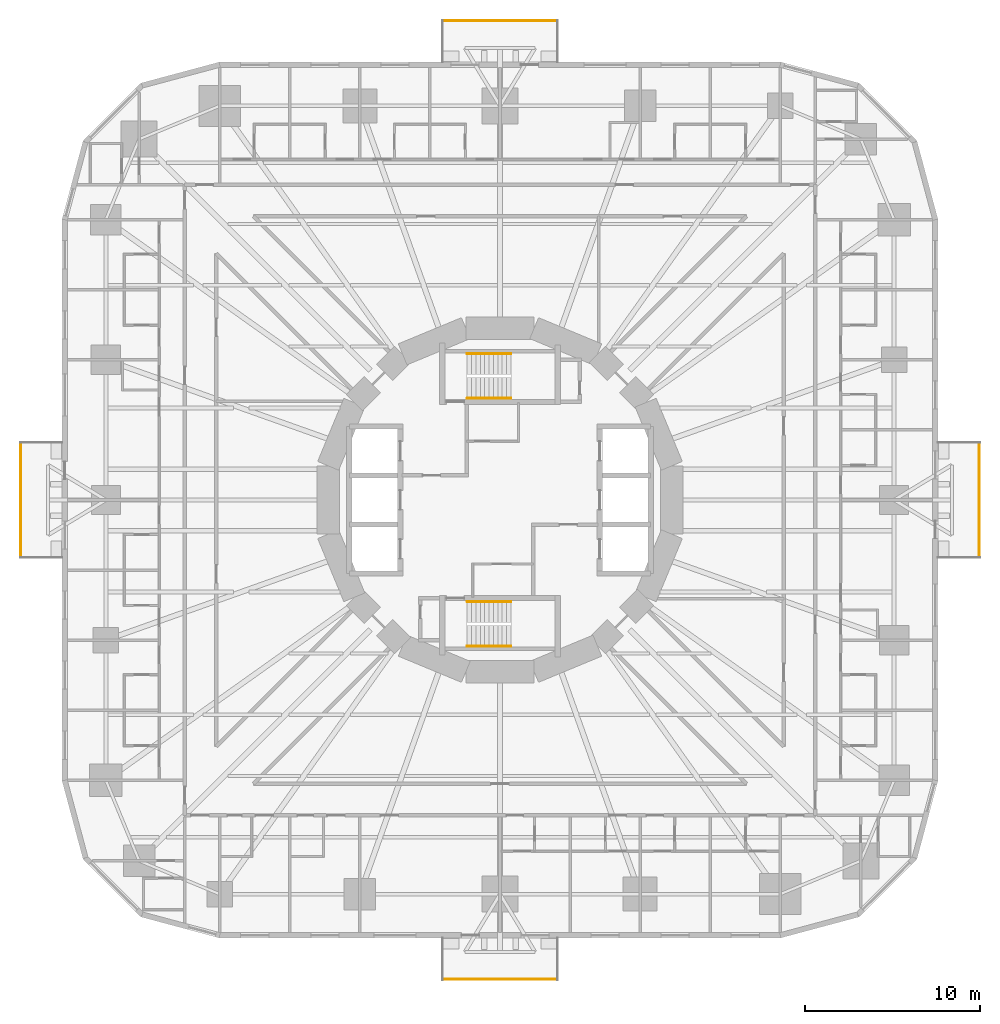
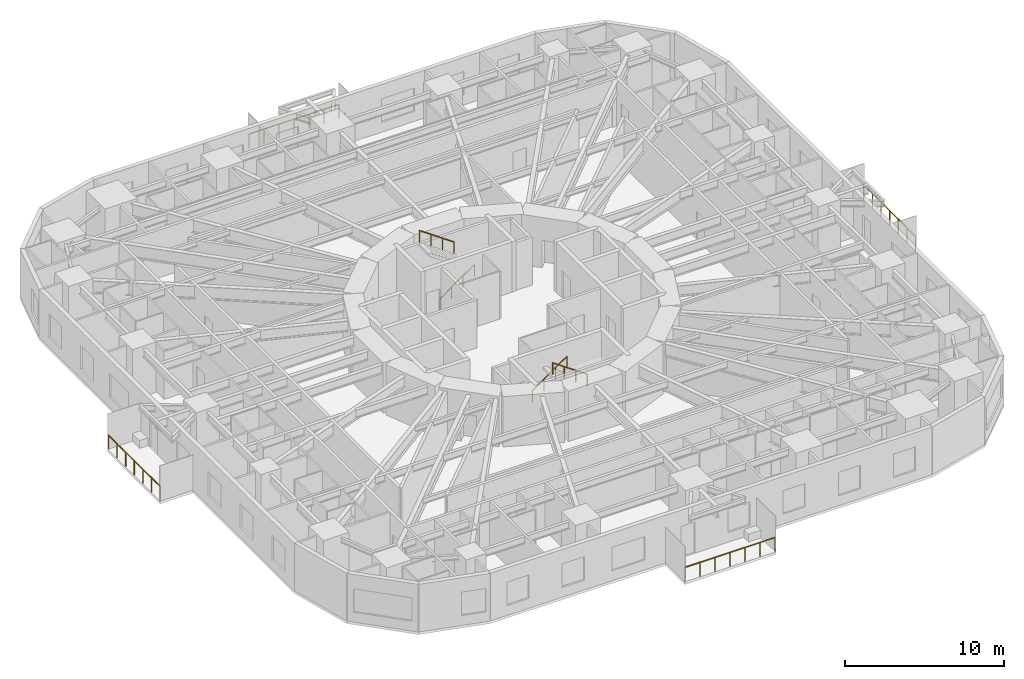
# One storey, part 13 of 14: 8 railings.
"""IFC4 building model written with IfcOpenShell, lengths in metres."""

from ifc_helpers import new_model, si_unit, direction, frame, origin, origin_2d, place, context, subcontext, project, spatial, circle, extrude, material, type_object, element, save


model = new_model("IFC4")

# Units and contexts
model_context = context("Model", 3, precision=1e-05, world=origin(), true_north=direction((0.0, 1.0)))
body_context = subcontext(model_context, "Body", "Model", "MODEL_VIEW")
ifc_project = project(units=[si_unit("LENGTHUNIT", "METRE"), si_unit("AREAUNIT", "SQUARE_METRE"), si_unit("VOLUMEUNIT", "CUBIC_METRE"), si_unit("PLANEANGLEUNIT", "RADIAN"), si_unit("MASSUNIT", "GRAM", prefix="KILO")], contexts=[model_context])

# Site, building, storey
site_placement = place(None, origin())
site = spatial("IfcSite", under=ifc_project, at=site_placement, CompositionType="ELEMENT")
building_placement = place(site_placement, origin())
building = spatial("IfcBuilding", under=site, at=building_placement, Name="Nakasero Lantern House", CompositionType="ELEMENT")
storey_placement = place(building_placement, frame((0.0, 0.0, 39.10009765625)))
storey = spatial("IfcBuildingStorey", under=building, at=storey_placement, Name="L09", CompositionType="ELEMENT", Elevation=39.10009765625)

# Railings
ifc_material_1 = material(Name="Aluminium 6063-T6", Category="aluminium")
railing_type_1 = type_object("IfcRailingType", Name="Balcony guard 1100", PredefinedType="BALUSTRADE", material=ifc_material_1)
railing_1_placement = place(storey_placement, frame((27.35009765625, -3.260009765625, 0.0)))
element("IfcRailing", 1, at=railing_1_placement, inside=storey, type_object=railing_type_1, Name="Balcony guard L09 BAL0", PredefinedType="BALUSTRADE", context=body_context, shape_type="SweptSolid", body=[
    extrude(circle(Radius=0.02392578125, at=origin_2d()), frame((0.0, 0.0, 1.076171875), z_axis=(0.0, 1.0, 0.0), x_axis=(-1.0, 0.0, 0.0)), (0.0, 0.0, 1.0), 6.52001953125),
    extrude(circle(Radius=0.02099609375, at=origin_2d()), origin(), (0.0, 0.0, 1.0), 1.052001953125),
    extrude(circle(Radius=0.02099609375, at=origin_2d()), frame((0.0, 1.086669921875, 0.0)), (0.0, 0.0, 1.0), 1.052001953125),
    extrude(circle(Radius=0.02099609375, at=origin_2d()), frame((0.0, 2.17333984375, 0.0)), (0.0, 0.0, 1.0), 1.052001953125),
    extrude(circle(Radius=0.02099609375, at=origin_2d()), frame((0.0, 3.260009765625, 0.0)), (0.0, 0.0, 1.0), 1.052001953125),
    extrude(circle(Radius=0.02099609375, at=origin_2d()), frame((0.0, 4.3466796875, 0.0)), (0.0, 0.0, 1.0), 1.052001953125),
    extrude(circle(Radius=0.02099609375, at=origin_2d()), frame((0.0, 5.433349609375, 0.0)), (0.0, 0.0, 1.0), 1.052001953125),
    extrude(circle(Radius=0.02099609375, at=origin_2d()), frame((0.0, 6.52001953125, 0.0)), (0.0, 0.0, 1.0), 1.052001953125),
])
railing_2_placement = place(storey_placement, frame((3.260009765625, 27.35009765625, 0.0)))
element("IfcRailing", 2, at=railing_2_placement, inside=storey, type_object=railing_type_1, Name="Balcony guard L09 BAL1", PredefinedType="BALUSTRADE", context=body_context, shape_type="SweptSolid", body=[
    extrude(circle(Radius=0.02392578125, at=origin_2d()), frame((0.0, 0.0, 1.076171875), z_axis=(-1.0, 0.0, 0.0), x_axis=(0.0, -1.0, 0.0)), (0.0, 0.0, 1.0), 6.52001953125),
    extrude(circle(Radius=0.02099609375, at=origin_2d()), origin(), (0.0, 0.0, 1.0), 1.052001953125),
    extrude(circle(Radius=0.02099609375, at=origin_2d()), frame((-1.086669921875, 0.0, 0.0)), (0.0, 0.0, 1.0), 1.052001953125),
    extrude(circle(Radius=0.02099609375, at=origin_2d()), frame((-2.17333984375, 0.0, 0.0)), (0.0, 0.0, 1.0), 1.052001953125),
    extrude(circle(Radius=0.02099609375, at=origin_2d()), frame((-3.260009765625, 0.0, 0.0)), (0.0, 0.0, 1.0), 1.052001953125),
    extrude(circle(Radius=0.02099609375, at=origin_2d()), frame((-4.3466796875, 0.0, 0.0)), (0.0, 0.0, 1.0), 1.052001953125),
    extrude(circle(Radius=0.02099609375, at=origin_2d()), frame((-5.433349609375, 0.0, 0.0)), (0.0, 0.0, 1.0), 1.052001953125),
    extrude(circle(Radius=0.02099609375, at=origin_2d()), frame((-6.52001953125, 0.0, 0.0)), (0.0, 0.0, 1.0), 1.052001953125),
])
railing_3_placement = place(storey_placement, frame((-27.35009765625, 3.260009765625, 0.0)))
element("IfcRailing", 3, at=railing_3_placement, inside=storey, type_object=railing_type_1, Name="Balcony guard L09 BAL2", PredefinedType="BALUSTRADE", context=body_context, shape_type="SweptSolid", body=[
    extrude(circle(Radius=0.02392578125, at=origin_2d()), frame((0.0, 0.0, 1.076171875), z_axis=(0.0, -1.0, 0.0), x_axis=(1.0, 0.0, 0.0)), (0.0, 0.0, 1.0), 6.52001953125),
    extrude(circle(Radius=0.02099609375, at=origin_2d()), origin(), (0.0, 0.0, 1.0), 1.052001953125),
    extrude(circle(Radius=0.02099609375, at=origin_2d()), frame((0.0, -1.086669921875, 0.0)), (0.0, 0.0, 1.0), 1.052001953125),
    extrude(circle(Radius=0.02099609375, at=origin_2d()), frame((0.0, -2.17333984375, 0.0)), (0.0, 0.0, 1.0), 1.052001953125),
    extrude(circle(Radius=0.02099609375, at=origin_2d()), frame((0.0, -3.260009765625, 0.0)), (0.0, 0.0, 1.0), 1.052001953125),
    extrude(circle(Radius=0.02099609375, at=origin_2d()), frame((0.0, -4.3466796875, 0.0)), (0.0, 0.0, 1.0), 1.052001953125),
    extrude(circle(Radius=0.02099609375, at=origin_2d()), frame((0.0, -5.433349609375, 0.0)), (0.0, 0.0, 1.0), 1.052001953125),
    extrude(circle(Radius=0.02099609375, at=origin_2d()), frame((0.0, -6.52001953125, 0.0)), (0.0, 0.0, 1.0), 1.052001953125),
])
railing_4_placement = place(storey_placement, frame((-3.260009765625, -27.35009765625, 0.0)))
element("IfcRailing", 4, at=railing_4_placement, inside=storey, type_object=railing_type_1, Name="Balcony guard L09 BAL3", PredefinedType="BALUSTRADE", context=body_context, shape_type="SweptSolid", body=[
    extrude(circle(Radius=0.02392578125, at=origin_2d()), frame((0.0, 0.0, 1.076171875), z_axis=(1.0, 0.0, 0.0), x_axis=(0.0, 1.0, 0.0)), (0.0, 0.0, 1.0), 6.52001953125),
    extrude(circle(Radius=0.02099609375, at=origin_2d()), origin(), (0.0, 0.0, 1.0), 1.052001953125),
    extrude(circle(Radius=0.02099609375, at=origin_2d()), frame((1.086669921875, 0.0, 0.0)), (0.0, 0.0, 1.0), 1.052001953125),
    extrude(circle(Radius=0.02099609375, at=origin_2d()), frame((2.17333984375, 0.0, 0.0)), (0.0, 0.0, 1.0), 1.052001953125),
    extrude(circle(Radius=0.02099609375, at=origin_2d()), frame((3.260009765625, 0.0, 0.0)), (0.0, 0.0, 1.0), 1.052001953125),
    extrude(circle(Radius=0.02099609375, at=origin_2d()), frame((4.3466796875, 0.0, 0.0)), (0.0, 0.0, 1.0), 1.052001953125),
    extrude(circle(Radius=0.02099609375, at=origin_2d()), frame((5.433349609375, 0.0, 0.0)), (0.0, 0.0, 1.0), 1.052001953125),
    extrude(circle(Radius=0.02099609375, at=origin_2d()), frame((6.52001953125, 0.0, 0.0)), (0.0, 0.0, 1.0), 1.052001953125),
])
ifc_material_2 = material(Name="Stainless steel 316", Category="steel")
railing_type_2 = type_object("IfcRailingType", Name="Stair handrail 900", PredefinedType="HANDRAIL", material=ifc_material_2)
railing_5_placement = place(storey_placement, frame((-1.875, 5.800048828125, 0.1748046875)))
element("IfcRailing", 5, at=railing_5_placement, inside=storey, type_object=railing_type_2, Name="Handrail ST1 L09 flight 1", PredefinedType="HANDRAIL", context=body_context, shape_type="SweptSolid", body=[
    extrude(circle(Radius=0.02392578125, at=origin_2d()), frame((0.0, 0.0, 0.8759765625), z_axis=(0.819231920519, 0.0, 0.573462344363), x_axis=(0.0, 1.0, 0.0)), (0.0, 0.0, 1.0), 3.0517578125),
    extrude(circle(Radius=0.02099609375, at=origin_2d()), origin(), (0.0, 0.0, 1.0), 0.851806640625),
    extrude(circle(Radius=0.02099609375, at=origin_2d()), frame((0.833251953125, 0.0, 0.583251953125)), (0.0, 0.0, 1.0), 0.851806640625),
    extrude(circle(Radius=0.02099609375, at=origin_2d()), frame((1.666748046875, 0.0, 1.166748046875)), (0.0, 0.0, 1.0), 0.851806640625),
    extrude(circle(Radius=0.02099609375, at=origin_2d()), frame((2.5, 0.0, 1.75)), (0.0, 0.0, 1.0), 0.851806640625),
])
railing_6_placement = place(storey_placement, frame((0.625, 8.35009765625, 2.099853515625)))
element("IfcRailing", 6, at=railing_6_placement, inside=storey, type_object=railing_type_2, Name="Handrail ST1 L09 flight 2", PredefinedType="HANDRAIL", context=body_context, shape_type="SweptSolid", body=[
    extrude(circle(Radius=0.02392578125, at=origin_2d()), frame((0.0, 0.0, 0.8759765625), z_axis=(-0.819231920519, 0.0, 0.573462344363), x_axis=(0.0, -1.0, 0.0)), (0.0, 0.0, 1.0), 3.0517578125),
    extrude(circle(Radius=0.02099609375, at=origin_2d()), origin(), (0.0, 0.0, 1.0), 0.851806640625),
    extrude(circle(Radius=0.02099609375, at=origin_2d()), frame((-0.833251953125, 0.0, 0.583251953125)), (0.0, 0.0, 1.0), 0.851806640625),
    extrude(circle(Radius=0.02099609375, at=origin_2d()), frame((-1.666748046875, 0.0, 1.166748046875)), (0.0, 0.0, 1.0), 0.851806640625),
    extrude(circle(Radius=0.02099609375, at=origin_2d()), frame((-2.5, 0.0, 1.75)), (0.0, 0.0, 1.0), 0.851806640625),
])
railing_7_placement = place(storey_placement, frame((-1.875, -5.800048828125, 0.1748046875)))
element("IfcRailing", 7, at=railing_7_placement, inside=storey, type_object=railing_type_2, Name="Handrail ST2 L09 flight 1", PredefinedType="HANDRAIL", context=body_context, shape_type="SweptSolid", body=[
    extrude(circle(Radius=0.02392578125, at=origin_2d()), frame((0.0, 0.0, 0.8759765625), z_axis=(0.819231920519, 0.0, 0.573462344363), x_axis=(0.0, 1.0, 0.0)), (0.0, 0.0, 1.0), 3.0517578125),
    extrude(circle(Radius=0.02099609375, at=origin_2d()), origin(), (0.0, 0.0, 1.0), 0.851806640625),
    extrude(circle(Radius=0.02099609375, at=origin_2d()), frame((0.833251953125, 0.0, 0.583251953125)), (0.0, 0.0, 1.0), 0.851806640625),
    extrude(circle(Radius=0.02099609375, at=origin_2d()), frame((1.666748046875, 0.0, 1.166748046875)), (0.0, 0.0, 1.0), 0.851806640625),
    extrude(circle(Radius=0.02099609375, at=origin_2d()), frame((2.5, 0.0, 1.75)), (0.0, 0.0, 1.0), 0.851806640625),
])
railing_8_placement = place(storey_placement, frame((0.625, -8.35009765625, 2.099853515625)))
element("IfcRailing", 8, at=railing_8_placement, inside=storey, type_object=railing_type_2, Name="Handrail ST2 L09 flight 2", PredefinedType="HANDRAIL", context=body_context, shape_type="SweptSolid", body=[
    extrude(circle(Radius=0.02392578125, at=origin_2d()), frame((0.0, 0.0, 0.8759765625), z_axis=(-0.819231920519, 0.0, 0.573462344363), x_axis=(0.0, -1.0, 0.0)), (0.0, 0.0, 1.0), 3.0517578125),
    extrude(circle(Radius=0.02099609375, at=origin_2d()), origin(), (0.0, 0.0, 1.0), 0.851806640625),
    extrude(circle(Radius=0.02099609375, at=origin_2d()), frame((-0.833251953125, 0.0, 0.583251953125)), (0.0, 0.0, 1.0), 0.851806640625),
    extrude(circle(Radius=0.02099609375, at=origin_2d()), frame((-1.666748046875, 0.0, 1.166748046875)), (0.0, 0.0, 1.0), 0.851806640625),
    extrude(circle(Radius=0.02099609375, at=origin_2d()), frame((-2.5, 0.0, 1.75)), (0.0, 0.0, 1.0), 0.851806640625),
])

save(model, "model.ifc")
